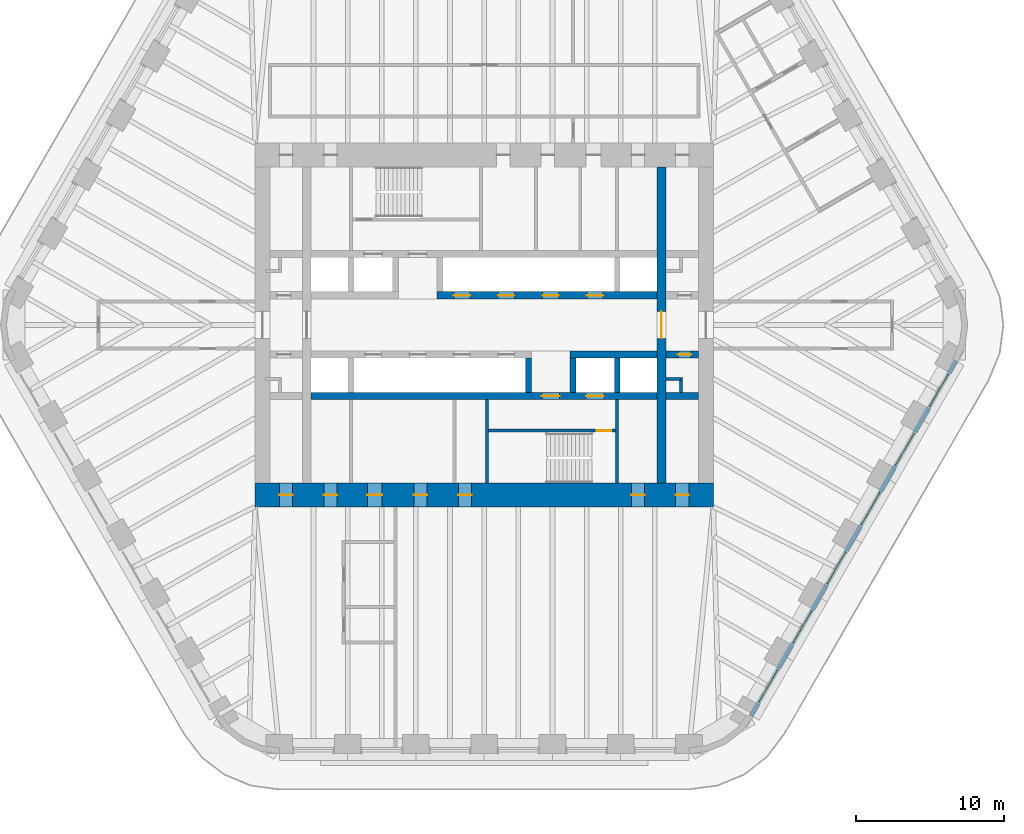
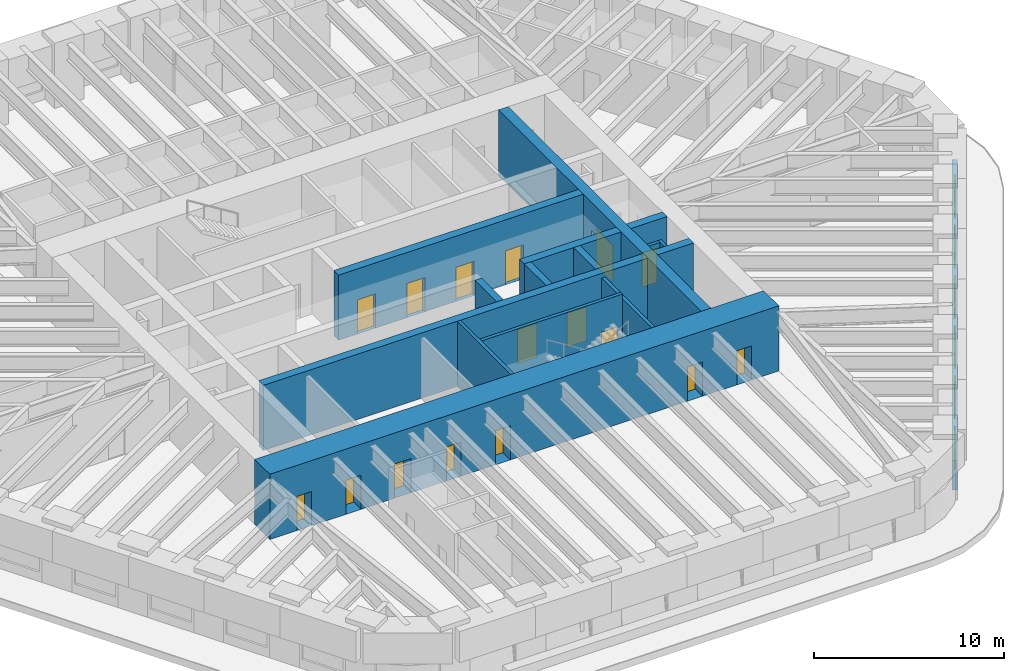
# One storey, part 8 of 12: 16 doors, 16 walls, 6 windows, 22 openings.
"""IFC4 building model written with IfcOpenShell, lengths in metres."""

from ifc_helpers import new_model, si_unit, direction, frame, frame_2d, origin, place, context, subcontext, project, spatial, rectangle, extrude, material, layer, layer_set, type_object, element, fill, save


model = new_model("IFC4")

# Units and contexts
model_context = context("Model", 3, precision=1e-05, world=origin(), true_north=direction((0.0, 1.0)))
body_context = subcontext(model_context, "Body", "Model", "MODEL_VIEW")
ifc_project = project(units=[si_unit("LENGTHUNIT", "METRE"), si_unit("AREAUNIT", "SQUARE_METRE"), si_unit("VOLUMEUNIT", "CUBIC_METRE"), si_unit("PLANEANGLEUNIT", "RADIAN"), si_unit("MASSUNIT", "GRAM", prefix="KILO")], contexts=[model_context])

# Site, building, storey
site_placement = place(None, origin())
site = spatial("IfcSite", under=ifc_project, at=site_placement, CompositionType="ELEMENT")
building_placement = place(site_placement, origin())
building = spatial("IfcBuilding", under=site, at=building_placement, Name="Tarfa Lantern Tower", CompositionType="ELEMENT")
storey_placement = place(building_placement, frame((0.0, 0.0, 295.300048828125)))
storey = spatial("IfcBuildingStorey", under=building, at=storey_placement, Name="L67", CompositionType="ELEMENT", Elevation=295.300048828125)

# Wall, openings, windows
ifc_material_1 = material(Name="Limestone cladding on blockwork", Category="masonry")
ifc_layer_1 = layer(ifc_material_1, 0.300048828125)
ifc_layer_set_1 = layer_set([ifc_layer_1], Name="EW1 STONE-CLAD WALL 300")
wall_type_1 = type_object("IfcWallType", Name="EW1 STONE-CLAD WALL 300", PredefinedType="SOLIDWALL", material=ifc_layer_set_1)
wall_1_placement = place(storey_placement, frame((18.056640625, -26.425048828125, 0.0), z_axis=(0.0, 0.0, 1.0), x_axis=(0.500001051461, 0.866024796723, 0.0)))
wall_1 = element("IfcWall", 1, at=wall_1_placement, inside=storey, type_object=wall_type_1, Name="Stone wall SE", PredefinedType="SOLIDWALL", context=body_context, shape_type="SweptSolid", body=[
    extrude(rectangle(XDim=27.712890625, YDim=0.300048828125, at=frame_2d((13.8564453125, 0.0))), origin(), (0.0, 0.0, 1.0), 1.89990234375),
])
opening_1_placement = place(wall_1_placement, frame((1.059326171875, 0.0, 0.60009765625)))
opening_1 = element("IfcOpeningElement", 2, at=opening_1_placement, cuts=wall_1, Name="Opening W15", PredefinedType="OPENING", context=body_context, shape_type="SweptSolid", body=[
    extrude(rectangle(XDim=2.5, YDim=1.050048828125, at=frame_2d((1.25, 0.52490234375))), frame((0.0, 0.159912109375, 0.0), z_axis=(0.0, -1.0, 0.0), x_axis=(1.0, 0.0, 0.0)), (0.0, 0.0, 1.0), 0.320068359375),
])
opening_2_placement = place(wall_1_placement, frame((5.67822265625, 0.0, 0.60009765625)))
opening_2 = element("IfcOpeningElement", 3, at=opening_2_placement, cuts=wall_1, Name="Opening W15", PredefinedType="OPENING", context=body_context, shape_type="SweptSolid", body=[
    extrude(rectangle(XDim=2.5, YDim=1.050048828125, at=frame_2d((1.25, 0.52490234375))), frame((0.0, 0.159912109375, 0.0), z_axis=(0.0, -1.0, 0.0), x_axis=(1.0, 0.0, 0.0)), (0.0, 0.0, 1.0), 0.320068359375),
])
opening_3_placement = place(wall_1_placement, frame((10.297119140625, 0.0, 0.60009765625)))
opening_3 = element("IfcOpeningElement", 4, at=opening_3_placement, cuts=wall_1, Name="Opening W15", PredefinedType="OPENING", context=body_context, shape_type="SweptSolid", body=[
    extrude(rectangle(XDim=2.5, YDim=1.050048828125, at=frame_2d((1.25, 0.52490234375))), frame((0.0, 0.159912109375, 0.0), z_axis=(0.0, -1.0, 0.0), x_axis=(1.0, 0.0, 0.0)), (0.0, 0.0, 1.0), 0.320068359375),
])
opening_4_placement = place(wall_1_placement, frame((14.915771484375, 0.0, 0.60009765625)))
opening_4 = element("IfcOpeningElement", 5, at=opening_4_placement, cuts=wall_1, Name="Opening W15", PredefinedType="OPENING", context=body_context, shape_type="SweptSolid", body=[
    extrude(rectangle(XDim=2.5, YDim=1.050048828125, at=frame_2d((1.25, 0.52490234375))), frame((0.0, 0.159912109375, 0.0), z_axis=(0.0, -1.0, 0.0), x_axis=(1.0, 0.0, 0.0)), (0.0, 0.0, 1.0), 0.320068359375),
])
opening_5_placement = place(wall_1_placement, frame((19.53466796875, 0.0, 0.60009765625)))
opening_5 = element("IfcOpeningElement", 6, at=opening_5_placement, cuts=wall_1, Name="Opening W15", PredefinedType="OPENING", context=body_context, shape_type="SweptSolid", body=[
    extrude(rectangle(XDim=2.5, YDim=1.050048828125, at=frame_2d((1.25, 0.52490234375))), frame((0.0, 0.159912109375, 0.0), z_axis=(0.0, -1.0, 0.0), x_axis=(1.0, 0.0, 0.0)), (0.0, 0.0, 1.0), 0.320068359375),
])
opening_6_placement = place(wall_1_placement, frame((24.1533203125, 0.0, 0.60009765625)))
opening_6 = element("IfcOpeningElement", 7, at=opening_6_placement, cuts=wall_1, Name="Opening W15", PredefinedType="OPENING", context=body_context, shape_type="SweptSolid", body=[
    extrude(rectangle(XDim=2.5, YDim=1.050048828125, at=frame_2d((1.25, 0.52490234375))), frame((0.0, 0.159912109375, 0.0), z_axis=(0.0, -1.0, 0.0), x_axis=(1.0, 0.0, 0.0)), (0.0, 0.0, 1.0), 0.320068359375),
])
ifc_material_2 = material(Name="Aluminium frame, double glazed", Category="aluminium")
window_type = type_object("IfcWindowType", Name="W15 FULL-HEIGHT GLAZING 2500x1050", PartitioningType="SINGLE_PANEL", PredefinedType="WINDOW", material=ifc_material_2)
window_1_placement = place(opening_1_placement, origin())
window_1 = element("IfcWindow", 8, at=window_1_placement, inside=storey, type_object=window_type, Name="Window SE 1", OverallHeight=1.050048828125, OverallWidth=2.5, PartitioningType="SINGLE_PANEL", PredefinedType="WINDOW", context=body_context, shape_type="SweptSolid", body=[
    extrude(rectangle(XDim=2.5, YDim=1.050048828125, at=frame_2d((1.25, 0.52490234375))), frame((0.0, 0.030029296875, 0.0), z_axis=(0.0, -1.0, 0.0), x_axis=(1.0, 0.0, 0.0)), (0.0, 0.0, 1.0), 0.06005859375),
])
fill(opening_1, window_1)
window_2_placement = place(opening_2_placement, origin())
window_2 = element("IfcWindow", 9, at=window_2_placement, inside=storey, type_object=window_type, Name="Window SE 2", OverallHeight=1.050048828125, OverallWidth=2.5, PartitioningType="SINGLE_PANEL", PredefinedType="WINDOW", context=body_context, shape_type="SweptSolid", body=[
    extrude(rectangle(XDim=2.5, YDim=1.050048828125, at=frame_2d((1.25, 0.52490234375))), frame((0.0, 0.030029296875, 0.0), z_axis=(0.0, -1.0, 0.0), x_axis=(1.0, 0.0, 0.0)), (0.0, 0.0, 1.0), 0.06005859375),
])
fill(opening_2, window_2)
window_3_placement = place(opening_3_placement, origin())
window_3 = element("IfcWindow", 10, at=window_3_placement, inside=storey, type_object=window_type, Name="Window SE 3", OverallHeight=1.050048828125, OverallWidth=2.5, PartitioningType="SINGLE_PANEL", PredefinedType="WINDOW", context=body_context, shape_type="SweptSolid", body=[
    extrude(rectangle(XDim=2.5, YDim=1.050048828125, at=frame_2d((1.25, 0.52490234375))), frame((0.0, 0.030029296875, 0.0), z_axis=(0.0, -1.0, 0.0), x_axis=(1.0, 0.0, 0.0)), (0.0, 0.0, 1.0), 0.06005859375),
])
fill(opening_3, window_3)
window_4_placement = place(opening_4_placement, origin())
window_4 = element("IfcWindow", 11, at=window_4_placement, inside=storey, type_object=window_type, Name="Window SE 4", OverallHeight=1.050048828125, OverallWidth=2.5, PartitioningType="SINGLE_PANEL", PredefinedType="WINDOW", context=body_context, shape_type="SweptSolid", body=[
    extrude(rectangle(XDim=2.5, YDim=1.050048828125, at=frame_2d((1.25, 0.52490234375))), frame((0.0, 0.030029296875, 0.0), z_axis=(0.0, -1.0, 0.0), x_axis=(1.0, 0.0, 0.0)), (0.0, 0.0, 1.0), 0.06005859375),
])
fill(opening_4, window_4)
window_5_placement = place(opening_5_placement, origin())
window_5 = element("IfcWindow", 12, at=window_5_placement, inside=storey, type_object=window_type, Name="Window SE 5", OverallHeight=1.050048828125, OverallWidth=2.5, PartitioningType="SINGLE_PANEL", PredefinedType="WINDOW", context=body_context, shape_type="SweptSolid", body=[
    extrude(rectangle(XDim=2.5, YDim=1.050048828125, at=frame_2d((1.25, 0.52490234375))), frame((0.0, 0.030029296875, 0.0), z_axis=(0.0, -1.0, 0.0), x_axis=(1.0, 0.0, 0.0)), (0.0, 0.0, 1.0), 0.06005859375),
])
fill(opening_5, window_5)
window_6_placement = place(opening_6_placement, origin())
window_6 = element("IfcWindow", 13, at=window_6_placement, inside=storey, type_object=window_type, Name="Window SE 6", OverallHeight=1.050048828125, OverallWidth=2.5, PartitioningType="SINGLE_PANEL", PredefinedType="WINDOW", context=body_context, shape_type="SweptSolid", body=[
    extrude(rectangle(XDim=2.5, YDim=1.050048828125, at=frame_2d((1.25, 0.52490234375))), frame((0.0, 0.030029296875, 0.0), z_axis=(0.0, -1.0, 0.0), x_axis=(1.0, 0.0, 0.0)), (0.0, 0.0, 1.0), 0.06005859375),
])
fill(opening_6, window_6)

# Walls
ifc_material_3 = material(Name="Concrete blockwork", Category="masonry")
ifc_layer_2 = layer(ifc_material_3, 0.199951171875)
ifc_layer_set_2 = layer_set([ifc_layer_2], Name="IW1 BLOCKWORK PARTITION 200 EI 120")
wall_type_2 = type_object("IfcWallType", Name="IW1 BLOCKWORK PARTITION 200 EI 120", PredefinedType="PARTITIONING", material=ifc_layer_set_2)
wall_2_placement = place(storey_placement, frame((9.0, -5.050048828125, 0.0), z_axis=(0.0, 0.0, 1.0), x_axis=(0.0, -1.0, 0.0)))
element("IfcWall", 14, at=wall_2_placement, inside=storey, type_object=wall_type_2, Name="Core partition", PredefinedType="PARTITIONING", context=body_context, shape_type="SweptSolid", body=[
    extrude(rectangle(XDim=5.64990234375, YDim=0.199951171875, at=frame_2d((2.824951171875, 0.0))), origin(), (0.0, 0.0, 1.0), 3.89990234375),
])
for number, where, z_axis, x_axis, name in (
    (15, (13.300048828125, -3.64990234375, 0.0), (0.0, 0.0, 1.0), (-1.0, 0.0, 0.0), "Core partition"),
    (16, (13.300048828125, -3.550048828125, 0.0), (0.0, 0.0, 1.0), (0.0, -1.0, 0.0), "Core partition"),
):
    element("IfcWall", number, at=place(storey_placement, frame(where, z_axis=z_axis, x_axis=x_axis)), inside=storey, type_object=wall_type_2, Name=name, PredefinedType="PARTITIONING", context=body_context, shape_type="SweptSolid", body=[
        extrude(rectangle(XDim=1.0, YDim=0.199951171875, at=frame_2d((0.5, 0.0))), origin(), (0.0, 0.0, 1.0), 3.89990234375),
    ])
ifc_material_4 = material(Name="Concrete C80/95", Category="concrete")
ifc_layer_3 = layer(ifc_material_4, 0.199951171875)
ifc_layer_set_3 = layer_set([ifc_layer_3], Name="SW12 CORE WALL 200")
wall_type_3 = type_object("IfcWallType", Name="SW12 CORE WALL 200", PredefinedType="SHEAR", material=ifc_layer_set_3)
wall_3_placement = place(storey_placement, frame((0.199951171875, -5.050048828125, 0.0), z_axis=(0.0, 0.0, 1.0), x_axis=(0.0, -1.0, 0.0)))
element("IfcWall", 17, at=wall_3_placement, inside=storey, type_object=wall_type_3, Name="Core wall stair shaft S", PredefinedType="SHEAR", context=body_context, shape_type="SweptSolid", body=[
    extrude(rectangle(XDim=5.64990234375, YDim=0.199951171875, at=frame_2d((2.824951171875, 0.0))), origin(), (0.0, 0.0, 1.0), 4.199951171875),
])

# Wall, opening, door
wall_4_placement = place(storey_placement, frame((8.89990234375, -7.14990234375, 0.0), z_axis=(0.0, 0.0, 1.0), x_axis=(-1.0, 0.0, 0.0)))
wall_4 = element("IfcWall", 18, at=wall_4_placement, inside=storey, type_object=wall_type_3, Name="Core wall stair partition S", PredefinedType="SHEAR", context=body_context, shape_type="SweptSolid", body=[
    extrude(rectangle(XDim=8.599853515625, YDim=0.199951171875, at=frame_2d((4.2998046875, 0.0))), origin(), (0.0, 0.0, 1.0), 4.199951171875),
])
opening_7_placement = place(wall_4_placement, frame((0.300048828125, 0.0, 0.0)))
opening_7 = element("IfcOpeningElement", 19, at=opening_7_placement, cuts=wall_4, Name="Opening D24", PredefinedType="OPENING", context=body_context, shape_type="SweptSolid", body=[
    extrude(rectangle(XDim=1.0, YDim=2.199951171875, at=frame_2d((0.5, 1.10009765625))), frame((0.0, 0.10986328125, 0.0), z_axis=(0.0, -1.0, 0.0), x_axis=(1.0, 0.0, 0.0)), (0.0, 0.0, 1.0), 0.219970703125),
])
ifc_material_5 = material(Name="Steel fire door", Category="steel")
door_type_1 = type_object("IfcDoorType", Name="DF2 STAIR DOOR 1000x2200", OperationType="SINGLE_SWING_LEFT", PredefinedType="DOOR", material=ifc_material_5)
door_1_placement = place(opening_7_placement, origin())
door_1 = element("IfcDoor", 20, at=door_1_placement, inside=storey, type_object=door_type_1, Name="Stair door", OperationType="SINGLE_SWING_RIGHT", OverallHeight=2.199951171875, OverallWidth=1.0, PredefinedType="DOOR", context=body_context, shape_type="SweptSolid", body=[
    extrude(rectangle(XDim=1.0, YDim=2.199951171875, at=frame_2d((0.5, 1.10009765625))), frame((0.0, 0.02490234375, 0.0), z_axis=(0.0, -1.0, 0.0), x_axis=(1.0, 0.0, 0.0)), (0.0, 0.0, 1.0), 0.050048828125),
])
fill(opening_7, door_1)

# Wall, openings, doors
ifc_layer_4 = layer(ifc_material_4, 0.5)
ifc_layer_set_4 = layer_set([ifc_layer_4], Name="SW5 CORE WALL 500")
wall_type_4 = type_object("IfcWallType", Name="SW5 CORE WALL 500", PredefinedType="SHEAR", material=ifc_layer_set_4)
wall_5_placement = place(storey_placement, frame((-3.199951171875, 2.0, 0.0), z_axis=(0.0, 0.0, 1.0), x_axis=(1.0, 0.0, 0.0)))
wall_5 = element("IfcWall", 21, at=wall_5_placement, inside=storey, type_object=wall_type_4, Name="Core wall lobby east N", PredefinedType="SHEAR", context=body_context, shape_type="SweptSolid", body=[
    extrude(rectangle(XDim=14.89990234375, YDim=0.5, at=frame_2d((7.449951171875, 0.0))), origin(), (0.0, 0.0, 1.0), 4.199951171875),
])
opening_8_placement = place(wall_5_placement, frame((1.14990234375, 0.0, 0.0)))
opening_8 = element("IfcOpeningElement", 22, at=opening_8_placement, cuts=wall_5, Name="Opening LD03", PredefinedType="OPENING", context=body_context, shape_type="SweptSolid", body=[
    extrude(rectangle(XDim=1.10009765625, YDim=2.199951171875, at=frame_2d((0.550048828125, 1.10009765625))), frame((0.0, 0.260009765625, 0.0), z_axis=(0.0, -1.0, 0.0), x_axis=(1.0, 0.0, 0.0)), (0.0, 0.0, 1.0), 0.52001953125),
])
opening_9_placement = place(wall_5_placement, frame((4.14990234375, 0.0, 0.0)))
opening_9 = element("IfcOpeningElement", 23, at=opening_9_placement, cuts=wall_5, Name="Opening LD04", PredefinedType="OPENING", context=body_context, shape_type="SweptSolid", body=[
    extrude(rectangle(XDim=1.10009765625, YDim=2.199951171875, at=frame_2d((0.550048828125, 1.10009765625))), frame((0.0, 0.260009765625, 0.0), z_axis=(0.0, -1.0, 0.0), x_axis=(1.0, 0.0, 0.0)), (0.0, 0.0, 1.0), 0.52001953125),
])
opening_10_placement = place(wall_5_placement, frame((7.14990234375, 0.0, 0.0)))
opening_10 = element("IfcOpeningElement", 24, at=opening_10_placement, cuts=wall_5, Name="Opening LD05", PredefinedType="OPENING", context=body_context, shape_type="SweptSolid", body=[
    extrude(rectangle(XDim=1.10009765625, YDim=2.199951171875, at=frame_2d((0.550048828125, 1.10009765625))), frame((0.0, 0.260009765625, 0.0), z_axis=(0.0, -1.0, 0.0), x_axis=(1.0, 0.0, 0.0)), (0.0, 0.0, 1.0), 0.52001953125),
])
opening_11_placement = place(wall_5_placement, frame((10.14990234375, 0.0, 0.0)))
opening_11 = element("IfcOpeningElement", 25, at=opening_11_placement, cuts=wall_5, Name="Opening LD06", PredefinedType="OPENING", context=body_context, shape_type="SweptSolid", body=[
    extrude(rectangle(XDim=1.10009765625, YDim=2.199951171875, at=frame_2d((0.550048828125, 1.10009765625))), frame((0.0, 0.260009765625, 0.0), z_axis=(0.0, -1.0, 0.0), x_axis=(1.0, 0.0, 0.0)), (0.0, 0.0, 1.0), 0.52001953125),
])
ifc_material_6 = material(Name="Stainless steel lift door", Category="steel")
door_type_2 = type_object("IfcDoorType", Name="LD2 LIFT LANDING DOOR 1100x2200", OperationType="SLIDING_TO_LEFT", PredefinedType="DOOR", material=ifc_material_6)
door_2_placement = place(opening_8_placement, frame((1.10009765625, 0.0, 0.0), z_axis=(0.0, 0.0, 1.0), x_axis=(-1.0, 0.0, 0.0)))
door_2 = element("IfcDoor", 26, at=door_2_placement, inside=storey, type_object=door_type_2, Name="Landing door PC1", OperationType="SLIDING_TO_LEFT", OverallHeight=2.199951171875, OverallWidth=1.10009765625, PredefinedType="DOOR", context=body_context, shape_type="SweptSolid", body=[
    extrude(rectangle(XDim=1.10009765625, YDim=2.199951171875, at=frame_2d((0.550048828125, 1.10009765625))), frame((0.0, 0.02490234375, 0.0), z_axis=(0.0, -1.0, 0.0), x_axis=(1.0, 0.0, 0.0)), (0.0, 0.0, 1.0), 0.050048828125),
])
fill(opening_8, door_2)
door_3_placement = place(opening_9_placement, frame((1.10009765625, 0.0, 0.0), z_axis=(0.0, 0.0, 1.0), x_axis=(-1.0, 0.0, 0.0)))
door_3 = element("IfcDoor", 27, at=door_3_placement, inside=storey, type_object=door_type_2, Name="Landing door PC2", OperationType="SLIDING_TO_LEFT", OverallHeight=2.199951171875, OverallWidth=1.10009765625, PredefinedType="DOOR", context=body_context, shape_type="SweptSolid", body=[
    extrude(rectangle(XDim=1.10009765625, YDim=2.199951171875, at=frame_2d((0.550048828125, 1.10009765625))), frame((0.0, 0.02490234375, 0.0), z_axis=(0.0, -1.0, 0.0), x_axis=(1.0, 0.0, 0.0)), (0.0, 0.0, 1.0), 0.050048828125),
])
fill(opening_9, door_3)
door_4_placement = place(opening_10_placement, frame((1.10009765625, 0.0, 0.0), z_axis=(0.0, 0.0, 1.0), x_axis=(-1.0, 0.0, 0.0)))
door_4 = element("IfcDoor", 28, at=door_4_placement, inside=storey, type_object=door_type_2, Name="Landing door PC3", OperationType="SLIDING_TO_LEFT", OverallHeight=2.199951171875, OverallWidth=1.10009765625, PredefinedType="DOOR", context=body_context, shape_type="SweptSolid", body=[
    extrude(rectangle(XDim=1.10009765625, YDim=2.199951171875, at=frame_2d((0.550048828125, 1.10009765625))), frame((0.0, 0.02490234375, 0.0), z_axis=(0.0, -1.0, 0.0), x_axis=(1.0, 0.0, 0.0)), (0.0, 0.0, 1.0), 0.050048828125),
])
fill(opening_10, door_4)
door_5_placement = place(opening_11_placement, frame((1.10009765625, 0.0, 0.0), z_axis=(0.0, 0.0, 1.0), x_axis=(-1.0, 0.0, 0.0)))
door_5 = element("IfcDoor", 29, at=door_5_placement, inside=storey, type_object=door_type_2, Name="Landing door PC4", OperationType="SLIDING_TO_LEFT", OverallHeight=2.199951171875, OverallWidth=1.10009765625, PredefinedType="DOOR", context=body_context, shape_type="SweptSolid", body=[
    extrude(rectangle(XDim=1.10009765625, YDim=2.199951171875, at=frame_2d((0.550048828125, 1.10009765625))), frame((0.0, 0.02490234375, 0.0), z_axis=(0.0, -1.0, 0.0), x_axis=(1.0, 0.0, 0.0)), (0.0, 0.0, 1.0), 0.050048828125),
])
fill(opening_11, door_5)

# Wall, opening, door
wall_6_placement = place(storey_placement, frame((14.5, -2.0, 0.0), z_axis=(0.0, 0.0, 1.0), x_axis=(-1.0, 0.0, 0.0)))
wall_6 = element("IfcWall", 30, at=wall_6_placement, inside=storey, type_object=wall_type_4, Name="Core wall lobby west S", PredefinedType="SHEAR", context=body_context, shape_type="SweptSolid", body=[
    extrude(rectangle(XDim=2.199951171875, YDim=0.5, at=frame_2d((1.10009765625, 0.0))), origin(), (0.0, 0.0, 1.0), 4.199951171875),
])
opening_12_placement = place(wall_6_placement, frame((0.5, 0.0, 0.0)))
opening_12 = element("IfcOpeningElement", 31, at=opening_12_placement, cuts=wall_6, Name="Opening D16", PredefinedType="OPENING", context=body_context, shape_type="SweptSolid", body=[
    extrude(rectangle(XDim=0.89990234375, YDim=2.199951171875, at=frame_2d((0.449951171875, 1.10009765625))), frame((0.0, 0.260009765625, 0.0), z_axis=(0.0, -1.0, 0.0), x_axis=(1.0, 0.0, 0.0)), (0.0, 0.0, 1.0), 0.52001953125),
])
door_type_3 = type_object("IfcDoorType", Name="DF6 SERVICE ROOM DOOR 900x2200", OperationType="SINGLE_SWING_LEFT", PredefinedType="DOOR", material=ifc_material_5)
door_6_placement = place(opening_12_placement, origin())
door_6 = element("IfcDoor", 32, at=door_6_placement, inside=storey, type_object=door_type_3, Name="Service room door", OperationType="SINGLE_SWING_RIGHT", OverallHeight=2.199951171875, OverallWidth=0.89990234375, PredefinedType="DOOR", context=body_context, shape_type="SweptSolid", body=[
    extrude(rectangle(XDim=0.89990234375, YDim=2.199951171875, at=frame_2d((0.449951171875, 1.10009765625))), frame((0.0, 0.02490234375, 0.0), z_axis=(0.0, -1.0, 0.0), x_axis=(1.0, 0.0, 0.0)), (0.0, 0.0, 1.0), 0.050048828125),
])
fill(opening_12, door_6)

# Walls
wall_7_placement = place(storey_placement, frame((11.699951171875, -2.0, 0.0), z_axis=(0.0, 0.0, 1.0), x_axis=(-1.0, 0.0, 0.0)))
element("IfcWall", 33, at=wall_7_placement, inside=storey, type_object=wall_type_4, Name="Core wall lobby west S", PredefinedType="SHEAR", context=body_context, shape_type="SweptSolid", body=[
    extrude(rectangle(XDim=5.89990234375, YDim=0.5, at=frame_2d((2.949951171875, 0.0))), origin(), (0.0, 0.0, 1.0), 4.199951171875),
])
wall_8_placement = place(storey_placement, frame((14.5, -4.800048828125, 0.0), z_axis=(0.0, 0.0, 1.0), x_axis=(-1.0, 0.0, 0.0)))
element("IfcWall", 34, at=wall_8_placement, inside=storey, type_object=wall_type_4, Name="Core wall rear S", PredefinedType="SHEAR", context=body_context, shape_type="SweptSolid", body=[
    extrude(rectangle(XDim=2.199951171875, YDim=0.5, at=frame_2d((1.10009765625, 0.0))), origin(), (0.0, 0.0, 1.0), 4.199951171875),
])

# Wall, openings, doors
wall_9_placement = place(storey_placement, frame((11.699951171875, -4.800048828125, 0.0), z_axis=(0.0, 0.0, 1.0), x_axis=(-1.0, 0.0, 0.0)))
wall_9 = element("IfcWall", 35, at=wall_9_placement, inside=storey, type_object=wall_type_4, Name="Core wall rear S", PredefinedType="SHEAR", context=body_context, shape_type="SweptSolid", body=[
    extrude(rectangle(XDim=23.39990234375, YDim=0.5, at=frame_2d((11.699951171875, 0.0))), origin(), (0.0, 0.0, 1.0), 4.199951171875),
])
opening_13_placement = place(wall_9_placement, frame((6.60009765625, 0.0, 0.0)))
opening_13 = element("IfcOpeningElement", 36, at=opening_13_placement, cuts=wall_9, Name="Opening D10", PredefinedType="OPENING", context=body_context, shape_type="SweptSolid", body=[
    extrude(rectangle(XDim=1.199951171875, YDim=2.199951171875, at=frame_2d((0.60009765625, 1.10009765625))), frame((0.0, 0.260009765625, 0.0), z_axis=(0.0, -1.0, 0.0), x_axis=(1.0, 0.0, 0.0)), (0.0, 0.0, 1.0), 0.52001953125),
])
opening_14_placement = place(wall_9_placement, frame((3.60009765625, 0.0, 0.0)))
opening_14 = element("IfcOpeningElement", 37, at=opening_14_placement, cuts=wall_9, Name="Opening LD02", PredefinedType="OPENING", context=body_context, shape_type="SweptSolid", body=[
    extrude(rectangle(XDim=1.199951171875, YDim=2.199951171875, at=frame_2d((0.60009765625, 1.10009765625))), frame((0.0, 0.260009765625, 0.0), z_axis=(0.0, -1.0, 0.0), x_axis=(1.0, 0.0, 0.0)), (0.0, 0.0, 1.0), 0.52001953125),
])
door_type_4 = type_object("IfcDoorType", Name="DF1 FIREFIGHTING LOBBY DOOR 1200x2200", OperationType="SINGLE_SWING_LEFT", PredefinedType="DOOR", material=ifc_material_5)
door_7_placement = place(opening_13_placement, origin())
door_7 = element("IfcDoor", 38, at=door_7_placement, inside=storey, type_object=door_type_4, Name="Firefighting lobby door", OperationType="SINGLE_SWING_LEFT", OverallHeight=2.199951171875, OverallWidth=1.199951171875, PredefinedType="DOOR", context=body_context, shape_type="SweptSolid", body=[
    extrude(rectangle(XDim=1.199951171875, YDim=2.199951171875, at=frame_2d((0.60009765625, 1.10009765625))), frame((0.0, 0.02490234375, 0.0), z_axis=(0.0, -1.0, 0.0), x_axis=(1.0, 0.0, 0.0)), (0.0, 0.0, 1.0), 0.050048828125),
])
fill(opening_13, door_7)
door_type_5 = type_object("IfcDoorType", Name="LD1 LIFT LANDING DOOR 1200x2200", OperationType="SLIDING_TO_LEFT", PredefinedType="DOOR", material=ifc_material_6)
door_8_placement = place(opening_14_placement, origin())
door_8 = element("IfcDoor", 39, at=door_8_placement, inside=storey, type_object=door_type_5, Name="Landing door FL2", OperationType="SLIDING_TO_LEFT", OverallHeight=2.199951171875, OverallWidth=1.199951171875, PredefinedType="DOOR", context=body_context, shape_type="SweptSolid", body=[
    extrude(rectangle(XDim=1.199951171875, YDim=2.199951171875, at=frame_2d((0.60009765625, 1.10009765625))), frame((0.0, 0.02490234375, 0.0), z_axis=(0.0, -1.0, 0.0), x_axis=(1.0, 0.0, 0.0)), (0.0, 0.0, 1.0), 0.050048828125),
])
fill(opening_14, door_8)

# Walls
ifc_layer_5 = layer(ifc_material_4, 0.39990234375)
ifc_layer_set_5 = layer_set([ifc_layer_5], Name="SW6 CORE WALL 400")
wall_type_5 = type_object("IfcWallType", Name="SW6 CORE WALL 400", PredefinedType="SHEAR", material=ifc_layer_set_5)
for number, where, z_axis, x_axis, name in (
    (40, (9.0, -2.25, 0.0), (0.0, 0.0, 1.0), (0.0, -1.0, 0.0), "Core wall divider S"),
    (41, (6.0, -2.25, 0.0), (0.0, 0.0, 1.0), (0.0, -1.0, 0.0), "Core wall divider S"),
    (42, (3.0, -2.25, 0.0), (0.0, 0.0, 1.0), (0.0, -1.0, 0.0), "Core wall divider S"),
):
    element("IfcWall", number, at=place(storey_placement, frame(where, z_axis=z_axis, x_axis=x_axis)), inside=storey, type_object=wall_type_5, Name=name, PredefinedType="SHEAR", context=body_context, shape_type="SweptSolid", body=[
        extrude(rectangle(XDim=2.300048828125, YDim=0.39990234375, at=frame_2d((1.14990234375, 0.0))), origin(), (0.0, 0.0, 1.0), 4.199951171875),
    ])

# Wall, openings, doors
ifc_layer_6 = layer(ifc_material_4, 1.60009765625)
ifc_layer_set_6 = layer_set([ifc_layer_6], Name="SW7 CORE WALL 1600")
wall_type_6 = type_object("IfcWallType", Name="SW7 CORE WALL 1600", PredefinedType="SHEAR", material=ifc_layer_set_6)
wall_10_placement = place(storey_placement, frame((15.5, -11.5, 0.0), z_axis=(0.0, 0.0, 1.0), x_axis=(-1.0, 0.0, 0.0)))
wall_10 = element("IfcWall", 43, at=wall_10_placement, inside=storey, type_object=wall_type_6, Name="Core wall S", PredefinedType="SHEAR", context=body_context, shape_type="SweptSolid", body=[
    extrude(rectangle(XDim=31.0, YDim=1.60009765625, at=frame_2d((15.5, 0.0))), origin(), (0.0, 0.0, 1.0), 4.199951171875),
])
opening_15_placement = place(wall_10_placement, frame((16.35009765625, 0.0, 0.0)))
opening_15 = element("IfcOpeningElement", 44, at=opening_15_placement, cuts=wall_10, Name="Opening D18", PredefinedType="OPENING", context=body_context, shape_type="SweptSolid", body=[
    extrude(rectangle(XDim=0.89990234375, YDim=2.199951171875, at=frame_2d((0.449951171875, 1.10009765625))), frame((0.0, 0.81005859375, 0.0), z_axis=(0.0, -1.0, 0.0), x_axis=(1.0, 0.0, 0.0)), (0.0, 0.0, 1.0), 1.6201171875),
])
opening_16_placement = place(wall_10_placement, frame((19.35009765625, 0.0, 0.0)))
opening_16 = element("IfcOpeningElement", 45, at=opening_16_placement, cuts=wall_10, Name="Opening D20", PredefinedType="OPENING", context=body_context, shape_type="SweptSolid", body=[
    extrude(rectangle(XDim=0.89990234375, YDim=2.199951171875, at=frame_2d((0.449951171875, 1.10009765625))), frame((0.0, 0.81005859375, 0.0), z_axis=(0.0, -1.0, 0.0), x_axis=(1.0, 0.0, 0.0)), (0.0, 0.0, 1.0), 1.6201171875),
])
opening_17_placement = place(wall_10_placement, frame((22.39990234375, 0.0, 0.0)))
opening_17 = element("IfcOpeningElement", 46, at=opening_17_placement, cuts=wall_10, Name="Opening D22", PredefinedType="OPENING", context=body_context, shape_type="SweptSolid", body=[
    extrude(rectangle(XDim=1.0, YDim=2.199951171875, at=frame_2d((0.5, 1.10009765625))), frame((0.0, 0.81005859375, 0.0), z_axis=(0.0, -1.0, 0.0), x_axis=(1.0, 0.0, 0.0)), (0.0, 0.0, 1.0), 1.6201171875),
])
opening_18_placement = place(wall_10_placement, frame((1.64990234375, 0.0, 0.0)))
opening_18 = element("IfcOpeningElement", 47, at=opening_18_placement, cuts=wall_10, Name="Opening D08", PredefinedType="OPENING", context=body_context, shape_type="SweptSolid", body=[
    extrude(rectangle(XDim=0.89990234375, YDim=2.199951171875, at=frame_2d((0.449951171875, 1.10009765625))), frame((0.0, 0.81005859375, 0.0), z_axis=(0.0, -1.0, 0.0), x_axis=(1.0, 0.0, 0.0)), (0.0, 0.0, 1.0), 1.6201171875),
])
opening_19_placement = place(wall_10_placement, frame((4.64990234375, 0.0, 0.0)))
opening_19 = element("IfcOpeningElement", 48, at=opening_19_placement, cuts=wall_10, Name="Opening D06", PredefinedType="OPENING", context=body_context, shape_type="SweptSolid", body=[
    extrude(rectangle(XDim=0.89990234375, YDim=2.199951171875, at=frame_2d((0.449951171875, 1.10009765625))), frame((0.0, 0.81005859375, 0.0), z_axis=(0.0, -1.0, 0.0), x_axis=(1.0, 0.0, 0.0)), (0.0, 0.0, 1.0), 1.6201171875),
])
opening_20_placement = place(wall_10_placement, frame((25.449951171875, 0.0, 0.0)))
opening_20 = element("IfcOpeningElement", 49, at=opening_20_placement, cuts=wall_10, Name="Opening D04", PredefinedType="OPENING", context=body_context, shape_type="SweptSolid", body=[
    extrude(rectangle(XDim=0.89990234375, YDim=2.199951171875, at=frame_2d((0.449951171875, 1.10009765625))), frame((0.0, 0.81005859375, 0.0), z_axis=(0.0, -1.0, 0.0), x_axis=(1.0, 0.0, 0.0)), (0.0, 0.0, 1.0), 1.6201171875),
])
opening_21_placement = place(wall_10_placement, frame((28.449951171875, 0.0, 0.0)))
opening_21 = element("IfcOpeningElement", 50, at=opening_21_placement, cuts=wall_10, Name="Opening D02", PredefinedType="OPENING", context=body_context, shape_type="SweptSolid", body=[
    extrude(rectangle(XDim=0.89990234375, YDim=2.199951171875, at=frame_2d((0.449951171875, 1.10009765625))), frame((0.0, 0.81005859375, 0.0), z_axis=(0.0, -1.0, 0.0), x_axis=(1.0, 0.0, 0.0)), (0.0, 0.0, 1.0), 1.6201171875),
])
door_type_6 = type_object("IfcDoorType", Name="DF3 CORE ROOM DOOR 900x2200", OperationType="SINGLE_SWING_LEFT", PredefinedType="DOOR", material=ifc_material_5)
door_9_placement = place(opening_15_placement, frame((0.89990234375, 0.0, 0.0), z_axis=(0.0, 0.0, 1.0), x_axis=(-1.0, 0.0, 0.0)))
door_9 = element("IfcDoor", 51, at=door_9_placement, inside=storey, type_object=door_type_6, Name="Core door", OperationType="SINGLE_SWING_RIGHT", OverallHeight=2.199951171875, OverallWidth=0.89990234375, PredefinedType="DOOR", context=body_context, shape_type="SweptSolid", body=[
    extrude(rectangle(XDim=0.89990234375, YDim=2.199951171875, at=frame_2d((0.449951171875, 1.10009765625))), frame((0.0, 0.02490234375, 0.0), z_axis=(0.0, -1.0, 0.0), x_axis=(1.0, 0.0, 0.0)), (0.0, 0.0, 1.0), 0.050048828125),
])
fill(opening_15, door_9)
door_10_placement = place(opening_16_placement, frame((0.89990234375, 0.0, 0.0), z_axis=(0.0, 0.0, 1.0), x_axis=(-1.0, 0.0, 0.0)))
door_10 = element("IfcDoor", 52, at=door_10_placement, inside=storey, type_object=door_type_6, Name="Core door", OperationType="SINGLE_SWING_LEFT", OverallHeight=2.199951171875, OverallWidth=0.89990234375, PredefinedType="DOOR", context=body_context, shape_type="SweptSolid", body=[
    extrude(rectangle(XDim=0.89990234375, YDim=2.199951171875, at=frame_2d((0.449951171875, 1.10009765625))), frame((0.0, 0.02490234375, 0.0), z_axis=(0.0, -1.0, 0.0), x_axis=(1.0, 0.0, 0.0)), (0.0, 0.0, 1.0), 0.050048828125),
])
fill(opening_16, door_10)
door_type_7 = type_object("IfcDoorType", Name="DF4 CORE ROOM DOOR 1000x2200", OperationType="SINGLE_SWING_LEFT", PredefinedType="DOOR", material=ifc_material_5)
door_11_placement = place(opening_17_placement, frame((1.0, 0.0, 0.0), z_axis=(0.0, 0.0, 1.0), x_axis=(-1.0, 0.0, 0.0)))
door_11 = element("IfcDoor", 53, at=door_11_placement, inside=storey, type_object=door_type_7, Name="Core door", OperationType="SINGLE_SWING_RIGHT", OverallHeight=2.199951171875, OverallWidth=1.0, PredefinedType="DOOR", context=body_context, shape_type="SweptSolid", body=[
    extrude(rectangle(XDim=1.0, YDim=2.199951171875, at=frame_2d((0.5, 1.10009765625))), frame((0.0, 0.02490234375, 0.0), z_axis=(0.0, -1.0, 0.0), x_axis=(1.0, 0.0, 0.0)), (0.0, 0.0, 1.0), 0.050048828125),
])
fill(opening_17, door_11)
door_type_8 = type_object("IfcDoorType", Name="DF5 RISER DOOR 900x2200", OperationType="SINGLE_SWING_LEFT", PredefinedType="DOOR", material=ifc_material_5)
door_12_placement = place(opening_18_placement, frame((0.89990234375, 0.0, 0.0), z_axis=(0.0, 0.0, 1.0), x_axis=(-1.0, 0.0, 0.0)))
door_12 = element("IfcDoor", 54, at=door_12_placement, inside=storey, type_object=door_type_8, Name="Riser door", OperationType="SINGLE_SWING_LEFT", OverallHeight=2.199951171875, OverallWidth=0.89990234375, PredefinedType="DOOR", context=body_context, shape_type="SweptSolid", body=[
    extrude(rectangle(XDim=0.89990234375, YDim=2.199951171875, at=frame_2d((0.449951171875, 1.10009765625))), frame((0.0, 0.02490234375, 0.0), z_axis=(0.0, -1.0, 0.0), x_axis=(1.0, 0.0, 0.0)), (0.0, 0.0, 1.0), 0.050048828125),
])
fill(opening_18, door_12)
door_13_placement = place(opening_19_placement, frame((0.89990234375, 0.0, 0.0), z_axis=(0.0, 0.0, 1.0), x_axis=(-1.0, 0.0, 0.0)))
door_13 = element("IfcDoor", 55, at=door_13_placement, inside=storey, type_object=door_type_8, Name="Riser door", OperationType="SINGLE_SWING_LEFT", OverallHeight=2.199951171875, OverallWidth=0.89990234375, PredefinedType="DOOR", context=body_context, shape_type="SweptSolid", body=[
    extrude(rectangle(XDim=0.89990234375, YDim=2.199951171875, at=frame_2d((0.449951171875, 1.10009765625))), frame((0.0, 0.02490234375, 0.0), z_axis=(0.0, -1.0, 0.0), x_axis=(1.0, 0.0, 0.0)), (0.0, 0.0, 1.0), 0.050048828125),
])
fill(opening_19, door_13)
door_14_placement = place(opening_20_placement, frame((0.89990234375, 0.0, 0.0), z_axis=(0.0, 0.0, 1.0), x_axis=(-1.0, 0.0, 0.0)))
door_14 = element("IfcDoor", 56, at=door_14_placement, inside=storey, type_object=door_type_8, Name="Riser door", OperationType="SINGLE_SWING_RIGHT", OverallHeight=2.199951171875, OverallWidth=0.89990234375, PredefinedType="DOOR", context=body_context, shape_type="SweptSolid", body=[
    extrude(rectangle(XDim=0.89990234375, YDim=2.199951171875, at=frame_2d((0.449951171875, 1.10009765625))), frame((0.0, 0.02490234375, 0.0), z_axis=(0.0, -1.0, 0.0), x_axis=(1.0, 0.0, 0.0)), (0.0, 0.0, 1.0), 0.050048828125),
])
fill(opening_20, door_14)
door_15_placement = place(opening_21_placement, frame((0.89990234375, 0.0, 0.0), z_axis=(0.0, 0.0, 1.0), x_axis=(-1.0, 0.0, 0.0)))
door_15 = element("IfcDoor", 57, at=door_15_placement, inside=storey, type_object=door_type_8, Name="Riser door", OperationType="SINGLE_SWING_RIGHT", OverallHeight=2.199951171875, OverallWidth=0.89990234375, PredefinedType="DOOR", context=body_context, shape_type="SweptSolid", body=[
    extrude(rectangle(XDim=0.89990234375, YDim=2.199951171875, at=frame_2d((0.449951171875, 1.10009765625))), frame((0.0, 0.02490234375, 0.0), z_axis=(0.0, -1.0, 0.0), x_axis=(1.0, 0.0, 0.0)), (0.0, 0.0, 1.0), 0.050048828125),
])
fill(opening_21, door_15)

# Wall, opening, door
ifc_layer_7 = layer(ifc_material_4, 0.60009765625)
ifc_layer_set_7 = layer_set([ifc_layer_7], Name="SW9 CORE WALL 600")
wall_type_7 = type_object("IfcWallType", Name="SW9 CORE WALL 600", PredefinedType="SHEAR", material=ifc_layer_set_7)
wall_11_placement = place(storey_placement, frame((12.0, -10.699951171875, 0.0), z_axis=(0.0, 0.0, 1.0), x_axis=(0.0, 1.0, 0.0)))
wall_11 = element("IfcWall", 58, at=wall_11_placement, inside=storey, type_object=wall_type_7, Name="Core wall cross 12 m east", PredefinedType="SHEAR", context=body_context, shape_type="SweptSolid", body=[
    extrude(rectangle(XDim=21.39990234375, YDim=0.60009765625, at=frame_2d((10.699951171875, 0.0))), origin(), (0.0, 0.0, 1.0), 4.199951171875),
])
opening_22_placement = place(wall_11_placement, frame((9.800048828125, 0.0, 0.0)))
opening_22 = element("IfcOpeningElement", 59, at=opening_22_placement, cuts=wall_11, Name="Opening D25", PredefinedType="OPENING", context=body_context, shape_type="SweptSolid", body=[
    extrude(rectangle(XDim=1.800048828125, YDim=2.39990234375, at=frame_2d((0.89990234375, 1.199951171875))), frame((0.0, 0.31005859375, 0.0), z_axis=(0.0, -1.0, 0.0), x_axis=(1.0, 0.0, 0.0)), (0.0, 0.0, 1.0), 0.6201171875),
])
door_type_9 = type_object("IfcDoorType", Name="DL1 LOBBY DOOR 1800x2400", OperationType="DOUBLE_DOOR_SINGLE_SWING", PredefinedType="DOOR", material=ifc_material_5)
door_16_placement = place(opening_22_placement, origin())
door_16 = element("IfcDoor", 60, at=door_16_placement, inside=storey, type_object=door_type_9, Name="Lift lobby door", OperationType="DOUBLE_DOOR_SINGLE_SWING", OverallHeight=2.39990234375, OverallWidth=1.800048828125, PredefinedType="DOOR", context=body_context, shape_type="SweptSolid", body=[
    extrude(rectangle(XDim=1.800048828125, YDim=2.39990234375, at=frame_2d((0.89990234375, 1.199951171875))), frame((0.0, 0.02490234375, 0.0), z_axis=(0.0, -1.0, 0.0), x_axis=(1.0, 0.0, 0.0)), (0.0, 0.0, 1.0), 0.050048828125),
])
fill(opening_22, door_16)

save(model, "model.ifc")
